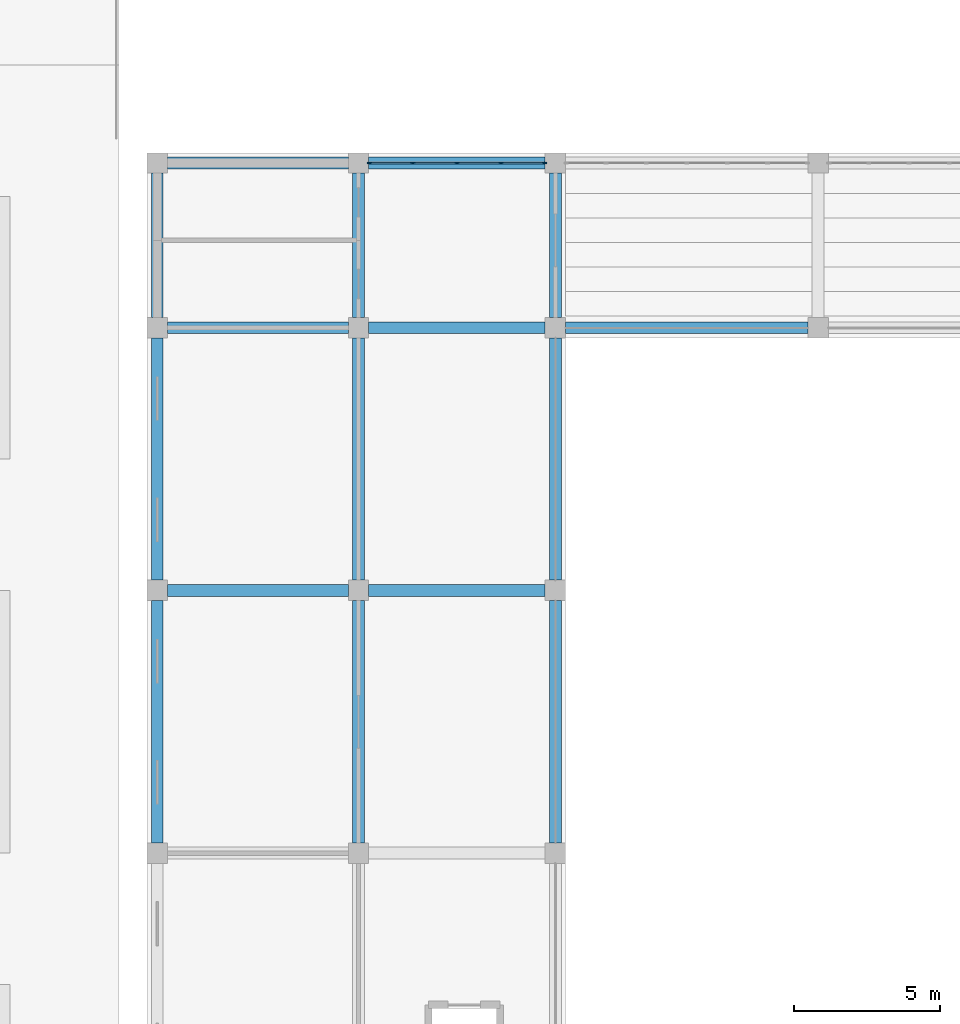
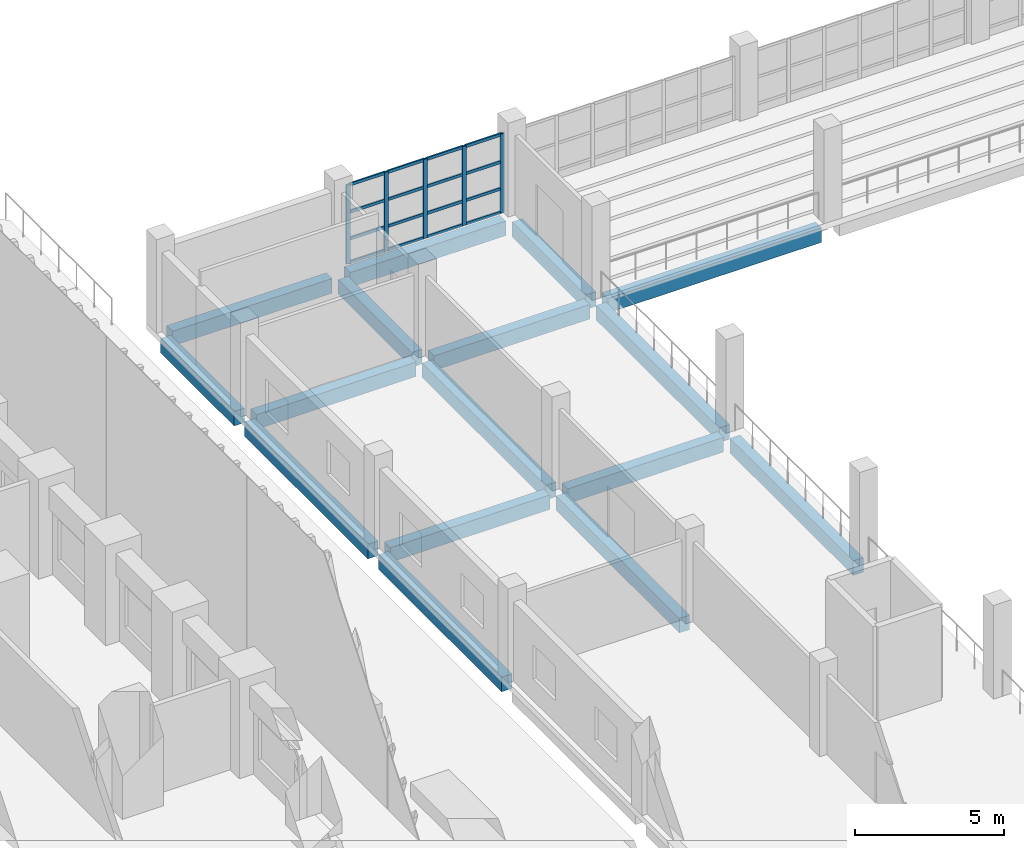
# One storey, part 7 of 36: 21 members, 16 beams, 1 element without a shape of its own.
"""IFC4 building model written with IfcOpenShell, lengths in metres."""

from ifc_helpers import new_model, si_unit, direction, frame, origin, origin_2d, place, context, subcontext, project, spatial, rectangle, extrude, material, layer, layer_set, material_profile, profile_set, type_object, element, aggregate, save


model = new_model("IFC4")

# Units and contexts
model_context = context("Model", 3, precision=1e-05, world=origin(), true_north=direction((0.0, 1.0)))
body_context = subcontext(model_context, "Body", "Model", "MODEL_VIEW")
ifc_project = project(units=[si_unit("LENGTHUNIT", "METRE"), si_unit("AREAUNIT", "SQUARE_METRE"), si_unit("VOLUMEUNIT", "CUBIC_METRE"), si_unit("PLANEANGLEUNIT", "RADIAN"), si_unit("MASSUNIT", "GRAM", prefix="KILO")], contexts=[model_context])

# Site, building, storey
site_placement = place(None, origin())
site = spatial("IfcSite", under=ifc_project, at=site_placement, CompositionType="ELEMENT")
building_placement = place(site_placement, origin())
building = spatial("IfcBuilding", under=site, at=building_placement, Name="Corbel Stack Research Tower", CompositionType="ELEMENT")
storey_placement = place(building_placement, frame((0.0, 0.0, 7.199951171875)))
storey = spatial("IfcBuildingStorey", under=building, at=storey_placement, Name="L01", CompositionType="ELEMENT", Elevation=7.199951171875)

# Curtain wall, members
ifc_material_1 = material(Name="Aluminium", Category="aluminium")
ifc_layer = layer(ifc_material_1, 0.14990234375)
ifc_layer_set = layer_set([ifc_layer], Name="Aluminium")
curtain_wall_type = type_object("IfcCurtainWallType", Name="CW5 main facade curtain wall", PredefinedType="NOTDEFINED", material=ifc_layer_set)
curtain_wall_placement = place(storey_placement, origin())
curtain_wall = element("IfcCurtainWall", 1, at=curtain_wall_placement, inside=storey, type_object=curtain_wall_type, Name="Main facade curtain wall L01 2", PredefinedType="NOTDEFINED")
ifc_material_2 = material(Name="Aluminium", Category="aluminium")
ifc_material_profile_1 = material_profile(ifc_material_2, rectangle(XDim=0.06005859375, YDim=0.159912109375, at=origin_2d()), Name="Mullion 60 x 160")
ifc_profile_set_1 = profile_set([ifc_material_profile_1], Name="Aluminium")
member_type_1 = type_object("IfcMemberType", Name="CW5 mullion 60 x 160", PredefinedType="MULLION", material=ifc_profile_set_1)
member_1_placement = place(storey_placement, frame((44.580078125, 23.64990234375, 0.0), z_axis=(0.0, 0.0, 1.0), x_axis=(0.0, 1.0, 0.0)))
member_1 = element("IfcMember", 2, at=member_1_placement, type_object=member_type_1, Name="CW5 mullion 1", PredefinedType="MULLION", context=body_context, shape_type="SweptSolid", body=[
    extrude(rectangle(XDim=0.06005859375, YDim=0.159912109375, at=origin_2d()), origin(), (0.0, 0.0, 1.0), 3.25),
])
member_2_placement = place(storey_placement, frame((46.0625, 23.64990234375, 0.0), z_axis=(0.0, 0.0, 1.0), x_axis=(0.0, 1.0, 0.0)))
member_2 = element("IfcMember", 3, at=member_2_placement, type_object=member_type_1, Name="CW5 mullion 2", PredefinedType="MULLION", context=body_context, shape_type="SweptSolid", body=[
    extrude(rectangle(XDim=0.06005859375, YDim=0.159912109375, at=origin_2d()), origin(), (0.0, 0.0, 1.0), 3.25),
])
member_3_placement = place(storey_placement, frame((47.574951171875, 23.64990234375, 0.0), z_axis=(0.0, 0.0, 1.0), x_axis=(0.0, 1.0, 0.0)))
member_3 = element("IfcMember", 4, at=member_3_placement, type_object=member_type_1, Name="CW5 mullion 3", PredefinedType="MULLION", context=body_context, shape_type="SweptSolid", body=[
    extrude(rectangle(XDim=0.06005859375, YDim=0.159912109375, at=origin_2d()), origin(), (0.0, 0.0, 1.0), 3.25),
])
member_4_placement = place(storey_placement, frame((49.08740234375, 23.64990234375, 0.0), z_axis=(0.0, 0.0, 1.0), x_axis=(0.0, 1.0, 0.0)))
member_4 = element("IfcMember", 5, at=member_4_placement, type_object=member_type_1, Name="CW5 mullion 4", PredefinedType="MULLION", context=body_context, shape_type="SweptSolid", body=[
    extrude(rectangle(XDim=0.06005859375, YDim=0.159912109375, at=origin_2d()), origin(), (0.0, 0.0, 1.0), 3.25),
])
member_5_placement = place(storey_placement, frame((50.570068359375, 23.64990234375, 0.0), z_axis=(0.0, 0.0, 1.0), x_axis=(0.0, 1.0, 0.0)))
member_5 = element("IfcMember", 6, at=member_5_placement, type_object=member_type_1, Name="CW5 mullion 5", PredefinedType="MULLION", context=body_context, shape_type="SweptSolid", body=[
    extrude(rectangle(XDim=0.06005859375, YDim=0.159912109375, at=origin_2d()), origin(), (0.0, 0.0, 1.0), 3.25),
])
ifc_material_3 = material(Name="Aluminium", Category="aluminium")
ifc_material_profile_2 = material_profile(ifc_material_3, rectangle(XDim=0.06005859375, YDim=0.1201171875, at=origin_2d()), Name="Transom 60 x 120")
ifc_profile_set_2 = profile_set([ifc_material_profile_2], Name="Aluminium")
member_type_2 = type_object("IfcMemberType", Name="CW5 transom 60 x 120", PredefinedType="USERDEFINED", material=ifc_profile_set_2)
member_6_placement = place(storey_placement, frame((44.610107421875, 23.64990234375, 0.030029296875), z_axis=(1.0, 0.0, 0.0), x_axis=(0.0, 1.0, 0.0)))
member_6 = element("IfcMember", 7, at=member_6_placement, type_object=member_type_2, Name="CW5 transom 1.1", ObjectType="TRANSOM", PredefinedType="USERDEFINED", context=body_context, shape_type="SweptSolid", body=[
    extrude(rectangle(XDim=0.06005859375, YDim=0.1201171875, at=origin_2d()), origin(), (0.0, 0.0, 1.0), 1.42236328125),
])
member_7_placement = place(storey_placement, frame((44.610107421875, 23.64990234375, 1.0), z_axis=(1.0, 0.0, 0.0), x_axis=(0.0, 1.0, 0.0)))
member_7 = element("IfcMember", 8, at=member_7_placement, type_object=member_type_2, Name="CW5 transom 1.2", ObjectType="TRANSOM", PredefinedType="USERDEFINED", context=body_context, shape_type="SweptSolid", body=[
    extrude(rectangle(XDim=0.06005859375, YDim=0.1201171875, at=origin_2d()), origin(), (0.0, 0.0, 1.0), 1.42236328125),
])
member_8_placement = place(storey_placement, frame((44.610107421875, 23.64990234375, 2.10009765625), z_axis=(1.0, 0.0, 0.0), x_axis=(0.0, 1.0, 0.0)))
member_8 = element("IfcMember", 9, at=member_8_placement, type_object=member_type_2, Name="CW5 transom 1.3", ObjectType="TRANSOM", PredefinedType="USERDEFINED", context=body_context, shape_type="SweptSolid", body=[
    extrude(rectangle(XDim=0.06005859375, YDim=0.1201171875, at=origin_2d()), origin(), (0.0, 0.0, 1.0), 1.42236328125),
])
member_9_placement = place(storey_placement, frame((44.610107421875, 23.64990234375, 3.219970703125), z_axis=(1.0, 0.0, 0.0), x_axis=(0.0, 1.0, 0.0)))
member_9 = element("IfcMember", 10, at=member_9_placement, type_object=member_type_2, Name="CW5 transom 1.4", ObjectType="TRANSOM", PredefinedType="USERDEFINED", context=body_context, shape_type="SweptSolid", body=[
    extrude(rectangle(XDim=0.06005859375, YDim=0.1201171875, at=origin_2d()), origin(), (0.0, 0.0, 1.0), 1.42236328125),
])
member_10_placement = place(storey_placement, frame((46.092529296875, 23.64990234375, 0.030029296875), z_axis=(1.0, 0.0, 0.0), x_axis=(0.0, 1.0, 0.0)))
member_10 = element("IfcMember", 11, at=member_10_placement, type_object=member_type_2, Name="CW5 transom 2.1", ObjectType="TRANSOM", PredefinedType="USERDEFINED", context=body_context, shape_type="SweptSolid", body=[
    extrude(rectangle(XDim=0.06005859375, YDim=0.1201171875, at=origin_2d()), origin(), (0.0, 0.0, 1.0), 1.452392578125),
])
member_11_placement = place(storey_placement, frame((46.092529296875, 23.64990234375, 1.0), z_axis=(1.0, 0.0, 0.0), x_axis=(0.0, 1.0, 0.0)))
member_11 = element("IfcMember", 12, at=member_11_placement, type_object=member_type_2, Name="CW5 transom 2.2", ObjectType="TRANSOM", PredefinedType="USERDEFINED", context=body_context, shape_type="SweptSolid", body=[
    extrude(rectangle(XDim=0.06005859375, YDim=0.1201171875, at=origin_2d()), origin(), (0.0, 0.0, 1.0), 1.452392578125),
])
member_12_placement = place(storey_placement, frame((46.092529296875, 23.64990234375, 2.10009765625), z_axis=(1.0, 0.0, 0.0), x_axis=(0.0, 1.0, 0.0)))
member_12 = element("IfcMember", 13, at=member_12_placement, type_object=member_type_2, Name="CW5 transom 2.3", ObjectType="TRANSOM", PredefinedType="USERDEFINED", context=body_context, shape_type="SweptSolid", body=[
    extrude(rectangle(XDim=0.06005859375, YDim=0.1201171875, at=origin_2d()), origin(), (0.0, 0.0, 1.0), 1.452392578125),
])
member_13_placement = place(storey_placement, frame((46.092529296875, 23.64990234375, 3.219970703125), z_axis=(1.0, 0.0, 0.0), x_axis=(0.0, 1.0, 0.0)))
member_13 = element("IfcMember", 14, at=member_13_placement, type_object=member_type_2, Name="CW5 transom 2.4", ObjectType="TRANSOM", PredefinedType="USERDEFINED", context=body_context, shape_type="SweptSolid", body=[
    extrude(rectangle(XDim=0.06005859375, YDim=0.1201171875, at=origin_2d()), origin(), (0.0, 0.0, 1.0), 1.452392578125),
])
member_14_placement = place(storey_placement, frame((47.60498046875, 23.64990234375, 0.030029296875), z_axis=(1.0, 0.0, 0.0), x_axis=(0.0, 1.0, 0.0)))
member_14 = element("IfcMember", 15, at=member_14_placement, type_object=member_type_2, Name="CW5 transom 3.1", ObjectType="TRANSOM", PredefinedType="USERDEFINED", context=body_context, shape_type="SweptSolid", body=[
    extrude(rectangle(XDim=0.06005859375, YDim=0.1201171875, at=origin_2d()), origin(), (0.0, 0.0, 1.0), 1.45263671875),
])
member_15_placement = place(storey_placement, frame((47.60498046875, 23.64990234375, 1.0), z_axis=(1.0, 0.0, 0.0), x_axis=(0.0, 1.0, 0.0)))
member_15 = element("IfcMember", 16, at=member_15_placement, type_object=member_type_2, Name="CW5 transom 3.2", ObjectType="TRANSOM", PredefinedType="USERDEFINED", context=body_context, shape_type="SweptSolid", body=[
    extrude(rectangle(XDim=0.06005859375, YDim=0.1201171875, at=origin_2d()), origin(), (0.0, 0.0, 1.0), 1.45263671875),
])
member_16_placement = place(storey_placement, frame((47.60498046875, 23.64990234375, 2.10009765625), z_axis=(1.0, 0.0, 0.0), x_axis=(0.0, 1.0, 0.0)))
member_16 = element("IfcMember", 17, at=member_16_placement, type_object=member_type_2, Name="CW5 transom 3.3", ObjectType="TRANSOM", PredefinedType="USERDEFINED", context=body_context, shape_type="SweptSolid", body=[
    extrude(rectangle(XDim=0.06005859375, YDim=0.1201171875, at=origin_2d()), origin(), (0.0, 0.0, 1.0), 1.45263671875),
])
member_17_placement = place(storey_placement, frame((47.60498046875, 23.64990234375, 3.219970703125), z_axis=(1.0, 0.0, 0.0), x_axis=(0.0, 1.0, 0.0)))
member_17 = element("IfcMember", 18, at=member_17_placement, type_object=member_type_2, Name="CW5 transom 3.4", ObjectType="TRANSOM", PredefinedType="USERDEFINED", context=body_context, shape_type="SweptSolid", body=[
    extrude(rectangle(XDim=0.06005859375, YDim=0.1201171875, at=origin_2d()), origin(), (0.0, 0.0, 1.0), 1.45263671875),
])
member_18_placement = place(storey_placement, frame((49.117431640625, 23.64990234375, 0.030029296875), z_axis=(1.0, 0.0, 0.0), x_axis=(0.0, 1.0, 0.0)))
member_18 = element("IfcMember", 19, at=member_18_placement, type_object=member_type_2, Name="CW5 transom 4.1", ObjectType="TRANSOM", PredefinedType="USERDEFINED", context=body_context, shape_type="SweptSolid", body=[
    extrude(rectangle(XDim=0.06005859375, YDim=0.1201171875, at=origin_2d()), origin(), (0.0, 0.0, 1.0), 1.422607421875),
])
member_19_placement = place(storey_placement, frame((49.117431640625, 23.64990234375, 1.0), z_axis=(1.0, 0.0, 0.0), x_axis=(0.0, 1.0, 0.0)))
member_19 = element("IfcMember", 20, at=member_19_placement, type_object=member_type_2, Name="CW5 transom 4.2", ObjectType="TRANSOM", PredefinedType="USERDEFINED", context=body_context, shape_type="SweptSolid", body=[
    extrude(rectangle(XDim=0.06005859375, YDim=0.1201171875, at=origin_2d()), origin(), (0.0, 0.0, 1.0), 1.422607421875),
])
member_20_placement = place(storey_placement, frame((49.117431640625, 23.64990234375, 2.10009765625), z_axis=(1.0, 0.0, 0.0), x_axis=(0.0, 1.0, 0.0)))
member_20 = element("IfcMember", 21, at=member_20_placement, type_object=member_type_2, Name="CW5 transom 4.3", ObjectType="TRANSOM", PredefinedType="USERDEFINED", context=body_context, shape_type="SweptSolid", body=[
    extrude(rectangle(XDim=0.06005859375, YDim=0.1201171875, at=origin_2d()), origin(), (0.0, 0.0, 1.0), 1.422607421875),
])
member_21_placement = place(storey_placement, frame((49.117431640625, 23.64990234375, 3.219970703125), z_axis=(1.0, 0.0, 0.0), x_axis=(0.0, 1.0, 0.0)))
member_21 = element("IfcMember", 22, at=member_21_placement, type_object=member_type_2, Name="CW5 transom 4.4", ObjectType="TRANSOM", PredefinedType="USERDEFINED", context=body_context, shape_type="SweptSolid", body=[
    extrude(rectangle(XDim=0.06005859375, YDim=0.1201171875, at=origin_2d()), origin(), (0.0, 0.0, 1.0), 1.422607421875),
])
aggregate(curtain_wall, [member_1, member_2, member_3, member_4, member_5, member_6, member_7, member_8, member_9, member_10, member_11, member_12, member_13, member_14, member_15, member_16, member_17, member_18, member_19, member_20, member_21])

# Beams
ifc_material_4 = material(Name="Concrete C40/50", Category="concrete")
ifc_material_profile_3 = material_profile(ifc_material_4, rectangle(XDim=0.39990234375, YDim=0.60009765625, at=origin_2d()), Name="RC 400 x 600")
ifc_profile_set_3 = profile_set([ifc_material_profile_3], Name="Concrete C40/50")
beam_type = type_object("IfcBeamType", Name="HB1 RC beam 400 x 600", PredefinedType="BEAM", material=ifc_profile_set_3)
beam_1_placement = place(storey_placement, frame((37.300048828125, 0.35009765625, -0.550048828125), z_axis=(0.0, 1.0, 0.0), x_axis=(-1.0, 0.0, 0.0)))
element("IfcBeam", 23, at=beam_1_placement, inside=storey, type_object=beam_type, Name="Floor beam L01 H1HD-H1HE", PredefinedType="BEAM", context=body_context, shape_type="SweptSolid", body=[
    extrude(rectangle(XDim=0.39990234375, YDim=0.60009765625, at=origin_2d()), origin(), (0.0, 0.0, 1.0), 8.2998046875),
])
beam_2_placement = place(storey_placement, frame((37.64990234375, 9.0, -0.550048828125), z_axis=(1.0, 0.0, 0.0), x_axis=(0.0, 1.0, 0.0)))
element("IfcBeam", 24, at=beam_2_placement, inside=storey, type_object=beam_type, Name="Floor beam L01 H1HE-H2HE", PredefinedType="BEAM", context=body_context, shape_type="SweptSolid", body=[
    extrude(rectangle(XDim=0.39990234375, YDim=0.60009765625, at=origin_2d()), origin(), (0.0, 0.0, 1.0), 6.2001953125),
])
beam_3_placement = place(storey_placement, frame((37.300048828125, 9.35009765625, -0.550048828125), z_axis=(0.0, 1.0, 0.0), x_axis=(-1.0, 0.0, 0.0)))
element("IfcBeam", 25, at=beam_3_placement, inside=storey, type_object=beam_type, Name="Floor beam L01 H1HE-H1HF", PredefinedType="BEAM", context=body_context, shape_type="SweptSolid", body=[
    extrude(rectangle(XDim=0.39990234375, YDim=0.60009765625, at=origin_2d()), origin(), (0.0, 0.0, 1.0), 8.2998046875),
])
beam_4_placement = place(storey_placement, frame((37.64990234375, 18.0, -0.550048828125), z_axis=(1.0, 0.0, 0.0), x_axis=(0.0, 1.0, 0.0)))
element("IfcBeam", 26, at=beam_4_placement, inside=storey, type_object=beam_type, Name="Floor beam L01 H1HF-H2HF", PredefinedType="BEAM", context=body_context, shape_type="SweptSolid", body=[
    extrude(rectangle(XDim=0.39990234375, YDim=0.60009765625, at=origin_2d()), origin(), (0.0, 0.0, 1.0), 6.2001953125),
])
beam_5_placement = place(storey_placement, frame((37.300048828125, 18.35009765625, -0.550048828125), z_axis=(0.0, 1.0, 0.0), x_axis=(-1.0, 0.0, 0.0)))
element("IfcBeam", 27, at=beam_5_placement, inside=storey, type_object=beam_type, Name="Floor beam L01 H1HF-H1HG", PredefinedType="BEAM", context=body_context, shape_type="SweptSolid", body=[
    extrude(rectangle(XDim=0.39990234375, YDim=0.60009765625, at=origin_2d()), origin(), (0.0, 0.0, 1.0), 4.949951171875),
])
beam_6_placement = place(storey_placement, frame((37.64990234375, 23.64990234375, -0.550048828125), z_axis=(1.0, 0.0, 0.0), x_axis=(0.0, 1.0, 0.0)))
element("IfcBeam", 28, at=beam_6_placement, inside=storey, type_object=beam_type, Name="Floor beam L01 H1HG-H2HG", PredefinedType="BEAM", context=body_context, shape_type="SweptSolid", body=[
    extrude(rectangle(XDim=0.39990234375, YDim=0.60009765625, at=origin_2d()), origin(), (0.0, 0.0, 1.0), 6.2001953125),
])
beam_7_placement = place(storey_placement, frame((44.199951171875, 0.35009765625, -0.550048828125), z_axis=(0.0, 1.0, 0.0), x_axis=(-1.0, 0.0, 0.0)))
element("IfcBeam", 29, at=beam_7_placement, inside=storey, type_object=beam_type, Name="Floor beam L01 H2HD-H2HE", PredefinedType="BEAM", context=body_context, shape_type="SweptSolid", body=[
    extrude(rectangle(XDim=0.39990234375, YDim=0.60009765625, at=origin_2d()), origin(), (0.0, 0.0, 1.0), 8.2998046875),
])
beam_8_placement = place(storey_placement, frame((44.550048828125, 9.0, -0.550048828125), z_axis=(1.0, 0.0, 0.0), x_axis=(0.0, 1.0, 0.0)))
element("IfcBeam", 30, at=beam_8_placement, inside=storey, type_object=beam_type, Name="Floor beam L01 H2HE-H3HE", PredefinedType="BEAM", context=body_context, shape_type="SweptSolid", body=[
    extrude(rectangle(XDim=0.39990234375, YDim=0.60009765625, at=origin_2d()), origin(), (0.0, 0.0, 1.0), 6.050048828125),
])
beam_9_placement = place(storey_placement, frame((44.199951171875, 9.35009765625, -0.550048828125), z_axis=(0.0, 1.0, 0.0), x_axis=(-1.0, 0.0, 0.0)))
element("IfcBeam", 31, at=beam_9_placement, inside=storey, type_object=beam_type, Name="Floor beam L01 H2HE-H2HF", PredefinedType="BEAM", context=body_context, shape_type="SweptSolid", body=[
    extrude(rectangle(XDim=0.39990234375, YDim=0.60009765625, at=origin_2d()), origin(), (0.0, 0.0, 1.0), 8.2998046875),
])
beam_10_placement = place(storey_placement, frame((44.550048828125, 18.0, -0.550048828125), z_axis=(1.0, 0.0, 0.0), x_axis=(0.0, 1.0, 0.0)))
element("IfcBeam", 32, at=beam_10_placement, inside=storey, type_object=beam_type, Name="Floor beam L01 H2HF-H3HF", PredefinedType="BEAM", context=body_context, shape_type="SweptSolid", body=[
    extrude(rectangle(XDim=0.39990234375, YDim=0.60009765625, at=origin_2d()), origin(), (0.0, 0.0, 1.0), 6.050048828125),
])
beam_11_placement = place(storey_placement, frame((44.199951171875, 18.35009765625, -0.550048828125), z_axis=(0.0, 1.0, 0.0), x_axis=(-1.0, 0.0, 0.0)))
element("IfcBeam", 33, at=beam_11_placement, inside=storey, type_object=beam_type, Name="Floor beam L01 H2HF-H2HG", PredefinedType="BEAM", context=body_context, shape_type="SweptSolid", body=[
    extrude(rectangle(XDim=0.39990234375, YDim=0.60009765625, at=origin_2d()), origin(), (0.0, 0.0, 1.0), 4.949951171875),
])
beam_12_placement = place(storey_placement, frame((44.550048828125, 23.64990234375, -0.550048828125), z_axis=(1.0, 0.0, 0.0), x_axis=(0.0, 1.0, 0.0)))
element("IfcBeam", 34, at=beam_12_placement, inside=storey, type_object=beam_type, Name="Floor beam L01 H2HG-H3HG", PredefinedType="BEAM", context=body_context, shape_type="SweptSolid", body=[
    extrude(rectangle(XDim=0.39990234375, YDim=0.60009765625, at=origin_2d()), origin(), (0.0, 0.0, 1.0), 6.050048828125),
])
for number, where, z_axis, x_axis, name in (
    (35, (50.949951171875, 0.35009765625, -0.550048828125), (0.0, 1.0, 0.0), (-1.0, 0.0, 0.0), "Floor beam L01 H3HD-H3HE"),
    (36, (50.949951171875, 9.35009765625, -0.550048828125), (0.0, 1.0, 0.0), (-1.0, 0.0, 0.0), "Floor beam L01 H3HE-H3HF"),
):
    element("IfcBeam", number, at=place(storey_placement, frame(where, z_axis=z_axis, x_axis=x_axis)), inside=storey, type_object=beam_type, Name=name, PredefinedType="BEAM", context=body_context, shape_type="SweptSolid", body=[
        extrude(rectangle(XDim=0.39990234375, YDim=0.60009765625, at=origin_2d()), origin(), (0.0, 0.0, 1.0), 8.2998046875),
    ])
beam_13_placement = place(storey_placement, frame((51.300048828125, 18.0, -0.550048828125), z_axis=(1.0, 0.0, 0.0), x_axis=(0.0, 1.0, 0.0)))
element("IfcBeam", 37, at=beam_13_placement, inside=storey, type_object=beam_type, Name="Floor beam L01 H3HF-H4HF", PredefinedType="BEAM", context=body_context, shape_type="SweptSolid", body=[
    extrude(rectangle(XDim=0.39990234375, YDim=0.60009765625, at=origin_2d()), origin(), (0.0, 0.0, 1.0), 8.300048828125),
])
beam_14_placement = place(storey_placement, frame((50.949951171875, 18.35009765625, -0.550048828125), z_axis=(0.0, 1.0, 0.0), x_axis=(-1.0, 0.0, 0.0)))
element("IfcBeam", 38, at=beam_14_placement, inside=storey, type_object=beam_type, Name="Floor beam L01 H3HF-H3HG", PredefinedType="BEAM", context=body_context, shape_type="SweptSolid", body=[
    extrude(rectangle(XDim=0.39990234375, YDim=0.60009765625, at=origin_2d()), origin(), (0.0, 0.0, 1.0), 4.949951171875),
])

save(model, "model.ifc")
